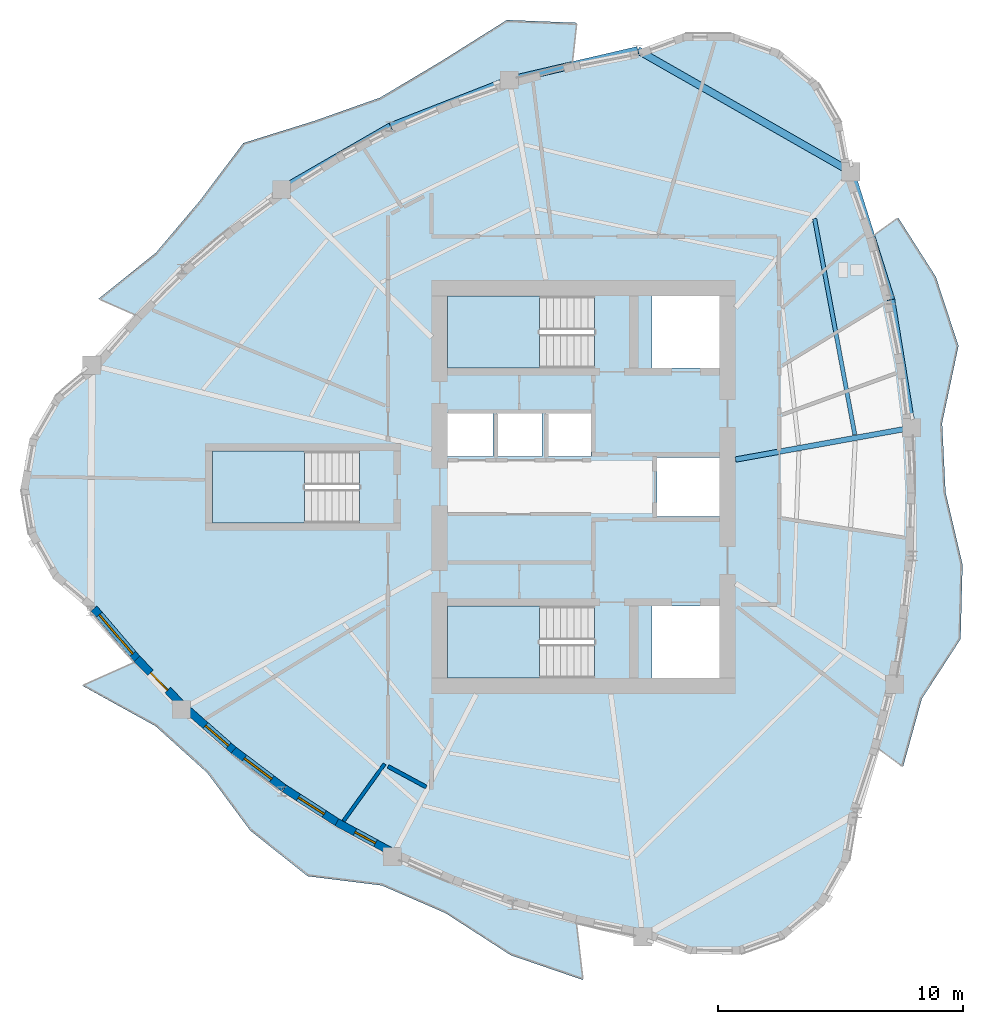
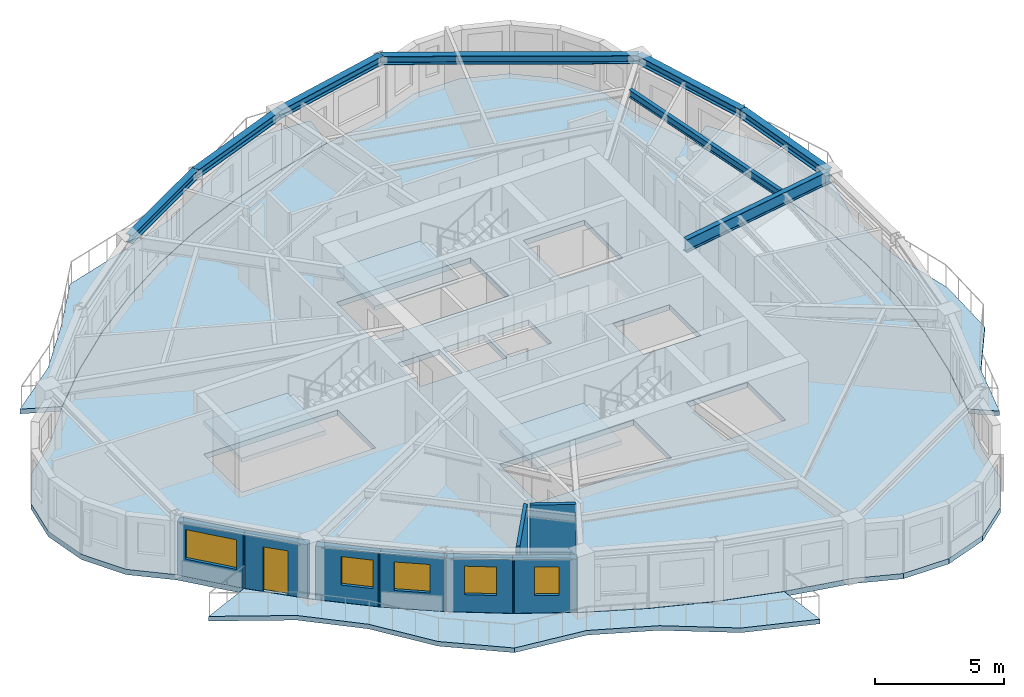
# One storey, part 2 of 12: 8 beams, 8 walls, 7 slabs, 5 windows, 1 door, 6 openings, 3 elements without a shape of their own.
"""IFC4 building model written with IfcOpenShell, lengths in metres."""

from ifc_helpers import new_model, si_unit, direction, frame, frame_2d, origin, origin_2d, place, context, subcontext, project, spatial, polyline, rectangle, i_section, outline, extrude, source, transform, mapped, material, layer, layer_set, material_profile, profile_set, type_object, element, fill, aggregate, save


model = new_model("IFC4")

# Units and contexts
model_context = context("Model", 3, precision=1e-05, world=origin(), true_north=direction((0.0, 1.0)))
body_context = subcontext(model_context, "Body", "Model", "MODEL_VIEW")
ifc_project = project(units=[si_unit("LENGTHUNIT", "METRE"), si_unit("AREAUNIT", "SQUARE_METRE"), si_unit("VOLUMEUNIT", "CUBIC_METRE"), si_unit("PLANEANGLEUNIT", "RADIAN"), si_unit("MASSUNIT", "GRAM", prefix="KILO")], contexts=[model_context])

# Site, building, storey
site_placement = place(None, origin())
site = spatial("IfcSite", under=ifc_project, at=site_placement, CompositionType="ELEMENT")
building_placement = place(site_placement, origin())
building = spatial("IfcBuilding", under=site, at=building_placement, Name="Qafzar Sky-Pleat Residences", CompositionType="ELEMENT")
storey_placement = place(building_placement, frame((0.0, 0.0, 177.800048828125)))
storey = spatial("IfcBuildingStorey", under=building, at=storey_placement, Name="L53", CompositionType="ELEMENT", Elevation=177.800048828125)

# Beams
ifc_material_1 = material(Name="Steel S355", Category="steel")
ifc_material_profile_1 = material_profile(ifc_material_1, i_section(OverallWidth=0.300048828125, OverallDepth=0.39990234375, WebThickness=0.013427734375, FlangeThickness=0.02392578125, FilletRadius=0.027099609375, at=origin_2d()), Name="HEB 400")
ifc_profile_set_1 = profile_set([ifc_material_profile_1], Name="Steel S355")
beam_type_1 = type_object("IfcBeamType", Name="BM-SPAN-HEB400", PredefinedType="SPANDREL", material=ifc_profile_set_1)
shared_shape_1 = source(origin(), body_context, "Body", "SweptSolid", [
    extrude(i_section(OverallWidth=0.300048828125, OverallDepth=0.39990234375, WebThickness=0.013427734375, FlangeThickness=0.02392578125, FilletRadius=0.027099609375, at=origin_2d()), origin(), (0.0, 0.0, 1.0), 10.017578125),
])
beam_1_placement = place(storey_placement, frame((41.25634765625, 38.860107421875, 2.748046875), z_axis=(-0.86844553877, 0.495784576394, 0.0), x_axis=(-0.495784576394, -0.86844553877, 0.0)))
element("IfcBeam", 1, at=beam_1_placement, inside=storey, type_object=beam_type_1, Name="L53 Perimeter Spandrel Beam 13", PredefinedType="SPANDREL", context=body_context, shape_type="MappedRepresentation", body=[
    mapped(shared_shape_1, transform((0.0, 0.0, 0.0), x_axis=(1.0, 0.0, 0.0), y_axis=(0.0, 1.0, 0.0), z_axis=(0.0, 0.0, 1.0), scale=1.0)),
])
shared_shape_2 = source(origin(), body_context, "Body", "SweptSolid", [
    extrude(i_section(OverallWidth=0.300048828125, OverallDepth=0.39990234375, WebThickness=0.013427734375, FlangeThickness=0.02392578125, FilletRadius=0.027099609375, at=origin_2d()), origin(), (0.0, 0.0, 1.0), 5.468505859375),
])
beam_2_placement = place(storey_placement, frame((42.897705078125, 33.643798828125, 2.748046875), z_axis=(-0.300150473614, 0.953891866612, 0.0), x_axis=(-0.953891866612, -0.300150473614, 0.0)))
element("IfcBeam", 2, at=beam_2_placement, inside=storey, type_object=beam_type_1, Name="L53 Perimeter Spandrel Beam 12", PredefinedType="SPANDREL", context=body_context, shape_type="MappedRepresentation", body=[
    mapped(shared_shape_2, transform((0.0, 0.0, 0.0), x_axis=(1.0, 0.0, 0.0), y_axis=(0.0, 1.0, 0.0), z_axis=(0.0, 0.0, 1.0), scale=1.0)),
])
shared_shape_3 = source(origin(), body_context, "Body", "SweptSolid", [
    extrude(i_section(OverallWidth=0.300048828125, OverallDepth=0.39990234375, WebThickness=0.013427734375, FlangeThickness=0.02392578125, FilletRadius=0.027099609375, at=origin_2d()), origin(), (0.0, 0.0, 1.0), 5.292236328125),
])
beam_3_placement = place(storey_placement, frame((43.74365234375, 28.419677734375, 2.748046875), z_axis=(-0.159848832351, 0.98714150495, 0.0), x_axis=(-0.98714150495, -0.159848832351, 0.0)))
element("IfcBeam", 3, at=beam_3_placement, inside=storey, type_object=beam_type_1, Name="L53 Perimeter Spandrel Beam 11", PredefinedType="SPANDREL", context=body_context, shape_type="MappedRepresentation", body=[
    mapped(shared_shape_3, transform((0.0, 0.0, 0.0), x_axis=(1.0, 0.0, 0.0), y_axis=(0.0, 1.0, 0.0), z_axis=(0.0, 0.0, 1.0), scale=1.0)),
])
shared_shape_4 = source(origin(), body_context, "Body", "SweptSolid", [
    extrude(i_section(OverallWidth=0.300048828125, OverallDepth=0.39990234375, WebThickness=0.013427734375, FlangeThickness=0.02392578125, FilletRadius=0.027099609375, at=origin_2d()), origin(), (0.0, 0.0, 1.0), 5.376220703125),
])
beam_4_placement = place(storey_placement, frame((32.556640625, 43.82666015625, 2.748046875), z_axis=(-0.974009424983, -0.226507483417, 0.0), x_axis=(0.226507483417, -0.974009424983, 0.0)))
element("IfcBeam", 4, at=beam_4_placement, inside=storey, type_object=beam_type_1, Name="L53 Perimeter Spandrel Beam 14", PredefinedType="SPANDREL", context=body_context, shape_type="MappedRepresentation", body=[
    mapped(shared_shape_4, transform((0.0, 0.0, 0.0), x_axis=(1.0, 0.0, 0.0), y_axis=(0.0, 1.0, 0.0), z_axis=(0.0, 0.0, 1.0), scale=1.0)),
])
shared_shape_5 = source(origin(), body_context, "Body", "SweptSolid", [
    extrude(i_section(OverallWidth=0.300048828125, OverallDepth=0.39990234375, WebThickness=0.013427734375, FlangeThickness=0.02392578125, FilletRadius=0.027099609375, at=origin_2d()), origin(), (0.0, 0.0, 1.0), 5.20263671875),
])
beam_5_placement = place(storey_placement, frame((27.320068359375, 42.60888671875, 2.748046875), z_axis=(-0.931325836308, -0.364187021494, 0.0), x_axis=(0.364187021494, -0.931325836308, 0.0)))
element("IfcBeam", 5, at=beam_5_placement, inside=storey, type_object=beam_type_1, Name="L53 Perimeter Spandrel Beam 15", PredefinedType="SPANDREL", context=body_context, shape_type="MappedRepresentation", body=[
    mapped(shared_shape_5, transform((0.0, 0.0, 0.0), x_axis=(1.0, 0.0, 0.0), y_axis=(0.0, 1.0, 0.0), z_axis=(0.0, 0.0, 1.0), scale=1.0)),
])
shared_shape_6 = source(origin(), body_context, "Body", "SweptSolid", [
    extrude(i_section(OverallWidth=0.300048828125, OverallDepth=0.39990234375, WebThickness=0.013427734375, FlangeThickness=0.02392578125, FilletRadius=0.027099609375, at=origin_2d()), origin(), (0.0, 0.0, 1.0), 5.1435546875),
])
beam_6_placement = place(storey_placement, frame((22.474609375, 40.714111328125, 2.748046875), z_axis=(-0.866032247962, -0.499988145349, 0.0), x_axis=(0.499988145349, -0.866032247962, 0.0)))
element("IfcBeam", 6, at=beam_6_placement, inside=storey, type_object=beam_type_1, Name="L53 Perimeter Spandrel Beam 16", PredefinedType="SPANDREL", context=body_context, shape_type="MappedRepresentation", body=[
    mapped(shared_shape_6, transform((0.0, 0.0, 0.0), x_axis=(1.0, 0.0, 0.0), y_axis=(0.0, 1.0, 0.0), z_axis=(0.0, 0.0, 1.0), scale=1.0)),
])
ifc_material_profile_2 = material_profile(ifc_material_1, i_section(OverallWidth=0.219970703125, OverallDepth=0.60009765625, WebThickness=0.011962890625, FlangeThickness=0.01904296875, FilletRadius=0.02392578125, at=origin_2d()), Name="IPE 600")
ifc_profile_set_2 = profile_set([ifc_material_profile_2], Name="Steel S355")
beam_type_2 = type_object("IfcBeamType", Name="BM-SEC-IPE600", PredefinedType="BEAM", material=ifc_profile_set_2)
shared_shape_7 = source(origin(), body_context, "Body", "SweptSolid", [
    extrude(i_section(OverallWidth=0.219970703125, OverallDepth=0.60009765625, WebThickness=0.011962890625, FlangeThickness=0.01904296875, FilletRadius=0.02392578125, at=origin_2d()), origin(), (0.0, 0.0, 1.0), 7.31005859375),
])
beam_7_placement = place(storey_placement, frame((43.74365234375, 28.419677734375, 2.64794921875), z_axis=(-0.984070742657, -0.177777314209, 0.0), x_axis=(0.177777314209, -0.984070742657, 0.0)))
element("IfcBeam", 7, at=beam_7_placement, inside=storey, type_object=beam_type_2, Name="L53 Radial Floor Girder 11", PredefinedType="BEAM", context=body_context, shape_type="MappedRepresentation", body=[
    mapped(shared_shape_7, transform((0.0, 0.0, 0.0), x_axis=(1.0, 0.0, 0.0), y_axis=(0.0, 1.0, 0.0), z_axis=(0.0, 0.0, 1.0), scale=1.0)),
])
ifc_material_profile_3 = material_profile(ifc_material_1, i_section(OverallWidth=0.169921875, OverallDepth=0.360107421875, WebThickness=0.008056640625, FlangeThickness=0.0126953125, FilletRadius=0.01806640625, at=origin_2d()), Name="IPE 360")
ifc_profile_set_3 = profile_set([ifc_material_profile_3], Name="Steel S355")
beam_type_3 = type_object("IfcBeamType", Name="BM-JST-IPE360", PredefinedType="JOIST", material=ifc_profile_set_3)
shared_shape_8 = source(origin(), body_context, "Body", "SweptSolid", [
    extrude(i_section(OverallWidth=0.169921875, OverallDepth=0.360107421875, WebThickness=0.008056640625, FlangeThickness=0.0126953125, FilletRadius=0.01806640625, at=origin_2d()), origin(), (0.0, 0.0, 1.0), 8.966552734375),
])
beam_8_placement = place(storey_placement, frame((41.4169921875, 28.136474609375, 2.76806640625), z_axis=(-0.183108044319, 0.983092795267, 0.0), x_axis=(-0.983092795267, -0.183108044319, 0.0)))
element("IfcBeam", 8, at=beam_8_placement, inside=storey, type_object=beam_type_3, Name="L53 Outer Secondary Floor Joist 6", PredefinedType="JOIST", context=body_context, shape_type="MappedRepresentation", body=[
    mapped(shared_shape_8, transform((0.0, 0.0, 0.0), x_axis=(1.0, 0.0, 0.0), y_axis=(0.0, 1.0, 0.0), z_axis=(0.0, 0.0, 1.0), scale=1.0)),
])

# Slabs
ifc_material_2 = material(Name="Concrete C40/50", Category="concrete")
ifc_layer_1 = layer(ifc_material_2, 0.219970703125)
ifc_layer_set_1 = layer_set([ifc_layer_1], Name="Concrete C40/50")
slab_type_1 = type_object("IfcSlabType", Name="SLAB-BAL-220", PredefinedType="USERDEFINED", material=ifc_layer_set_1)
slab_1_placement = place(storey_placement, frame((0.0, 0.0, -0.219970703125)))
element("IfcSlab", 9, at=slab_1_placement, inside=storey, type_object=slab_type_1, Name="L53 Pleated Stone Balcony 1", ObjectType="BALCONY", PredefinedType="USERDEFINED", context=body_context, shape_type="SweptSolid", body=[
    extrude(outline(polyline([(43.060546875, 17.942626953125), (43.532958984375, 20.565185546875), (43.80615234375, 23.185791015625), (43.88037109375, 25.8046875), (43.755615234375, 28.42138671875), (43.431396484375, 31.036376953125), (42.908203125, 33.649169921875), (42.18603515625, 36.259765625), (43.189208984375, 36.9853515625), (44.721435546875, 34.57958984375), (45.647216796875, 31.759521484375), (44.97900390625, 28.609619140625), (45.118408203125, 25.789306640625), (45.812744140625, 22.82861328125), (45.73291015625, 19.79541015625), (44.152099609375, 17.358642578125), (43.38330078125, 14.580810546875), (42.38916015625, 15.318603515625), (43.060546875, 17.942626953125)])), origin(), (0.0, 0.0, 1.0), 0.219970703125),
])
slab_2_placement = place(storey_placement, frame((0.0, 0.0, -0.219970703125)))
element("IfcSlab", 10, at=slab_2_placement, inside=storey, type_object=slab_type_1, Name="L53 Pleated Stone Balcony 2", ObjectType="BALCONY", PredefinedType="USERDEFINED", context=body_context, shape_type="SweptSolid", body=[
    extrude(outline(polyline([(27.319580078125, 42.62109375), (24.84619140625, 41.758056640625), (22.47021484375, 40.725341796875), (20.1923828125, 39.523193359375), (18.01220703125, 38.151611328125), (15.93017578125, 36.6103515625), (13.946044921875, 34.899658203125), (12.059814453125, 33.01953125), (10.560791015625, 33.6796875), (12.89990234375, 35.56201171875), (14.699951171875, 37.69189453125), (16.464111328125, 40.034912109375), (19.373291015625, 40.94189453125), (22.03515625, 41.884521484375), (24.524658203125, 43.364013671875), (27.219970703125, 45.056884765625), (30.068603515625, 44.942626953125), (29.890869140625, 43.314453125), (27.319580078125, 42.62109375)])), origin(), (0.0, 0.0, 1.0), 0.219970703125),
])
slab_3_placement = place(storey_placement, frame((0.0, 0.0, -0.219970703125)))
element("IfcSlab", 11, at=slab_3_placement, inside=storey, type_object=slab_type_1, Name="L53 Pleated Stone Balcony 3", ObjectType="BALCONY", PredefinedType="USERDEFINED", context=body_context, shape_type="SweptSolid", body=[
    extrude(outline(polyline([(13.92138671875, 16.91357421875), (15.922607421875, 15.154296875), (18.025146484375, 13.56591796875), (20.22900390625, 12.1494140625), (22.5341796875, 10.904296875), (24.940185546875, 9.830810546875), (27.447509765625, 8.9287109375), (30.055908203125, 8.197998046875), (30.3232421875, 5.88232421875), (27.381591796875, 6.8916015625), (24.710205078125, 8.6142578125), (22.112548828125, 9.740234375), (19.08837890625, 10.11669921875), (16.75, 11.976318359375), (15.001708984375, 14.326904296875), (12.88134765625, 16.2421875), (9.894287109375, 17.8916015625), (12.021484375, 18.844482421875), (13.92138671875, 16.91357421875)])), origin(), (0.0, 0.0, 1.0), 0.219970703125),
])
ifc_layer_2 = layer(ifc_material_2, 0.25)
ifc_layer_set_2 = layer_set([ifc_layer_2], Name="Concrete C40/50")
slab_type_2 = type_object("IfcSlabType", Name="SLAB-FLR-250", PredefinedType="FLOOR", material=ifc_layer_set_2)
slab_4_placement = place(storey_placement, frame((0.0, 0.0, -0.25)))
element("IfcSlab", 12, at=slab_4_placement, inside=storey, type_object=slab_type_2, Name="L53 Structural Floor Slab", PredefinedType="FLOOR", context=body_context, shape_type="SweptSolid", body=[
    extrude(outline(polyline([(10.283203125, 30.967041015625), (8.746337890625, 29.679443359375), (7.739501953125, 27.945556640625), (7.38330078125, 25.972412109375), (7.720458984375, 23.995849609375), (8.710205078125, 22.252197265625), (10.234619140625, 20.94970703125), (12.03271484375, 18.849365234375), (13.931640625, 16.920166015625), (15.931640625, 15.162109375), (18.03271484375, 13.575439453125), (20.23486328125, 12.159912109375), (22.5380859375, 10.91552734375), (24.9423828125, 9.842529296875), (27.447998046875, 8.940673828125), (30.054443359375, 8.209716796875), (32.761962890625, 7.650390625), (34.66650390625, 6.939697265625), (36.69921875, 6.9296875), (38.610595703125, 7.6220703125), (40.165771484375, 8.93115234375), (41.173583984375, 10.696533203125), (41.51025390625, 12.701171875), (42.37939453125, 15.32568359375), (43.050048828125, 17.948486328125), (43.521484375, 20.569091796875), (43.79443359375, 23.18798828125), (43.868408203125, 25.8046875), (43.74365234375, 28.419677734375), (43.419921875, 31.03271484375), (42.897705078125, 33.643798828125), (42.176513671875, 36.252685546875), (41.25634765625, 38.860107421875), (40.890625, 40.831298828125), (39.87548828125, 42.560546875), (38.332275390625, 43.8408203125), (36.4453125, 44.518798828125), (34.440185546875, 44.513916015625), (32.556640625, 43.82666015625), (29.889404296875, 43.302490234375), (27.320068359375, 42.60888671875), (24.848388671875, 41.74609375), (22.474609375, 40.714111328125), (20.1982421875, 39.512939453125), (18.02001953125, 38.142333984375), (15.939208984375, 36.602294921875), (13.9560546875, 34.893310546875), (12.07080078125, 33.014892578125), (10.283203125, 30.967041015625)]), holes=[polyline([(30.797119140625, 21.14990234375), (24.800048828125, 21.14990234375), (24.800048828125, 18.199951171875), (30.797119140625, 18.199951171875), (30.797119140625, 21.14990234375)]), polyline([(30.797119140625, 33.800048828125), (24.800048828125, 33.800048828125), (24.800048828125, 30.85009765625), (30.797119140625, 30.85009765625), (30.797119140625, 33.800048828125)]), polyline([(21.197021484375, 27.47509765625), (15.199951171875, 27.47509765625), (15.199951171875, 24.52490234375), (21.197021484375, 24.52490234375), (21.197021484375, 27.47509765625)]), polyline([(24.800048828125, 27.25), (26.64990234375, 27.25), (26.64990234375, 29.050048828125), (24.800048828125, 29.050048828125), (24.800048828125, 27.25)]), polyline([(26.800048828125, 27.25), (28.64990234375, 27.25), (28.64990234375, 29.050048828125), (26.800048828125, 29.050048828125), (26.800048828125, 27.25)]), polyline([(28.800048828125, 27.25), (30.64990234375, 27.25), (30.64990234375, 29.050048828125), (28.800048828125, 29.050048828125), (28.800048828125, 27.25)]), polyline([(33.14990234375, 18.199951171875), (35.89990234375, 18.199951171875), (35.89990234375, 21.14990234375), (33.14990234375, 21.14990234375), (33.14990234375, 18.199951171875)]), polyline([(33.14990234375, 30.85009765625), (35.89990234375, 30.85009765625), (35.89990234375, 33.800048828125), (33.14990234375, 33.800048828125), (33.14990234375, 30.85009765625)]), polyline([(33.35009765625, 24.800048828125), (35.89990234375, 24.800048828125), (35.89990234375, 27.199951171875), (33.35009765625, 27.199951171875), (33.35009765625, 24.800048828125)])]), origin(), (0.0, 0.0, 1.0), 0.25),
])

# Stair, slab
stair_type = type_object("IfcStairType", Name="STAIR-H320", PredefinedType="HALF_TURN_STAIR", material=ifc_material_2)
stair_1_placement = place(storey_placement, origin())
stair_1 = element("IfcStair", 13, at=stair_1_placement, inside=storey, type_object=stair_type, Name="L53 Protected Exit Stair ST1", PredefinedType="HALF_TURN_STAIR")
ifc_layer_3 = layer(ifc_material_2, 0.199951171875)
ifc_layer_set_3 = layer_set([ifc_layer_3], Name="Concrete C40/50")
slab_type_3 = type_object("IfcSlabType", Name="SLAB-LANDING-200", PredefinedType="LANDING", material=ifc_layer_set_3)
slab_5_placement = place(storey_placement, frame((0.0, 0.0, 1.39990234375)))
slab_5 = element("IfcSlab", 14, at=slab_5_placement, type_object=slab_type_3, Name="ST1 landing 1", PredefinedType="LANDING", context=body_context, shape_type="SweptSolid", body=[
    extrude(outline(polyline([(28.56005859375, 21.14990234375), (24.800048828125, 21.14990234375), (24.800048828125, 18.199951171875), (28.56005859375, 18.199951171875), (28.56005859375, 21.14990234375)])), origin(), (0.0, 0.0, 1.0), 0.199951171875),
])
aggregate(stair_1, [slab_5])

stair_2_placement = place(storey_placement, origin())
stair_2 = element("IfcStair", 15, at=stair_2_placement, inside=storey, type_object=stair_type, Name="L53 Protected Exit Stair ST2", PredefinedType="HALF_TURN_STAIR")
slab_6_placement = place(storey_placement, frame((0.0, 0.0, 1.39990234375)))
slab_6 = element("IfcSlab", 16, at=slab_6_placement, type_object=slab_type_3, Name="ST2 landing 1", PredefinedType="LANDING", context=body_context, shape_type="SweptSolid", body=[
    extrude(outline(polyline([(28.56005859375, 33.800048828125), (24.800048828125, 33.800048828125), (24.800048828125, 30.85009765625), (28.56005859375, 30.85009765625), (28.56005859375, 33.800048828125)])), origin(), (0.0, 0.0, 1.0), 0.199951171875),
])
aggregate(stair_2, [slab_6])

stair_3_placement = place(storey_placement, origin())
stair_3 = element("IfcStair", 17, at=stair_3_placement, inside=storey, type_object=stair_type, Name="L53 Protected Exit Stair ST3", PredefinedType="HALF_TURN_STAIR")
slab_7_placement = place(storey_placement, frame((0.0, 0.0, 1.39990234375)))
slab_7 = element("IfcSlab", 18, at=slab_7_placement, type_object=slab_type_3, Name="ST3 landing 1", PredefinedType="LANDING", context=body_context, shape_type="SweptSolid", body=[
    extrude(outline(polyline([(18.9599609375, 27.47509765625), (15.199951171875, 27.47509765625), (15.199951171875, 24.52490234375), (18.9599609375, 24.52490234375), (18.9599609375, 27.47509765625)])), origin(), (0.0, 0.0, 1.0), 0.199951171875),
])
aggregate(stair_3, [slab_7])

# Walls
ifc_material_3 = material(Name="Acoustic gypsum plasterboard partition", Category="gypsum")
ifc_layer_4 = layer(ifc_material_3, 0.159912109375)
ifc_layer_set_4 = layer_set([ifc_layer_4], Name="Acoustic gypsum plasterboard partition")
wall_type_1 = type_object("IfcWallType", Name="PART-COR-160", PredefinedType="PARTITIONING", material=ifc_layer_set_4)
wall_1_placement = place(storey_placement, frame((22.3701171875, 14.597900390625, 0.0), z_axis=(0.0, 0.0, 1.0), x_axis=(0.879928353623, -0.475106401231, 0.0)))
element("IfcWall", 19, at=wall_1_placement, inside=storey, type_object=wall_type_1, Name="L53 Partition Wall PART-L53-PW-027", PredefinedType="PARTITIONING", context=body_context, shape_type="SweptSolid", body=[
    extrude(rectangle(XDim=1.778564453125, YDim=0.159912109375, at=frame_2d((0.88916015625, 0.0))), origin(), (0.0, 0.0, 1.0), 2.949951171875),
])
ifc_layer_5 = layer(ifc_material_3, 0.14501953125)
ifc_layer_set_5 = layer_set([ifc_layer_5], Name="Acoustic gypsum plasterboard partition")
wall_type_2 = type_object("IfcWallType", Name="PART-UNIT-145", PredefinedType="PARTITIONING", material=ifc_layer_set_5)
wall_2_placement = place(storey_placement, frame((20.554931640625, 12.3701171875, 0.0), z_axis=(0.0, 0.0, 1.0), x_axis=(0.583544912932, 0.812080867027, 0.0)))
element("IfcWall", 20, at=wall_2_placement, inside=storey, type_object=wall_type_2, Name="L53 Partition Wall PART-L53-PW-023", PredefinedType="PARTITIONING", context=body_context, shape_type="SweptSolid", body=[
    extrude(rectangle(XDim=2.870361328125, YDim=0.14501953125, at=frame_2d((1.43505859375, 0.0))), origin(), (0.0, 0.0, 1.0), 2.949951171875),
])

# Wall, opening, window
ifc_material_4 = material(Name="Precast concrete C40/50 with honed Riyadh limestone", Category="concrete")
ifc_layer_6 = layer(ifc_material_4, 0.320068359375)
ifc_layer_set_6 = layer_set([ifc_layer_6], Name="Precast concrete C40/50 with honed Riyadh limestone")
wall_type_3 = type_object("IfcWallType", Name="WALL-EXT-320", PredefinedType="SOLIDWALL", material=ifc_layer_set_6)
wall_3_placement = place(storey_placement, frame((10.369384765625, 21.03857421875, 0.0), z_axis=(0.0, 0.0, 1.0), x_axis=(0.65028546754, -0.759689943797, 0.0)))
wall_3 = element("IfcWall", 21, at=wall_3_placement, inside=storey, type_object=wall_type_3, Name="L53 Limestone Facade Wall 7", PredefinedType="SOLIDWALL", context=body_context, shape_type="SweptSolid", body=[
    extrude(rectangle(XDim=2.78271484375, YDim=0.320068359375, at=frame_2d((1.391357421875, 0.0))), origin(), (0.0, 0.0, 1.0), 2.530029296875),
])
opening_1_placement = place(wall_3_placement, frame((0.331298828125, 0.0, 0.820068359375)))
opening_1 = element("IfcOpeningElement", 22, at=opening_1_placement, cuts=wall_3, Name="Opening WN-07", PredefinedType="OPENING", context=body_context, shape_type="SweptSolid", body=[
    extrude(rectangle(XDim=2.10009765625, YDim=1.39990234375, at=frame_2d((1.050048828125, 0.699951171875))), frame((0.0, 0.169921875, 0.0), z_axis=(0.0, -1.0, 0.0), x_axis=(1.0, 0.0, 0.0)), (0.0, 0.0, 1.0), 0.340087890625),
])
ifc_material_5 = material(Name="Solar-control low-E glass in bronze aluminium frame", Category="glass")
window_type_1 = type_object("IfcWindowType", Name="WIN-07", PartitioningType="DOUBLE_PANEL_VERTICAL", PredefinedType="WINDOW", material=ifc_material_5)
shared_shape_9 = source(origin(), body_context, "Body", "SweptSolid", [
    extrude(rectangle(XDim=2.10009765625, YDim=1.39990234375, at=frame_2d((1.050048828125, 0.699951171875))), frame((0.0, 0.030029296875, 0.0), z_axis=(0.0, -1.0, 0.0), x_axis=(1.0, 0.0, 0.0)), (0.0, 0.0, 1.0), 0.06005859375),
])
window_1_placement = place(opening_1_placement, origin())
window_1 = element("IfcWindow", 23, at=window_1_placement, inside=storey, type_object=window_type_1, Name="L53 Punched Facade Window 07", OverallHeight=1.39990234375, OverallWidth=2.10009765625, PartitioningType="SINGLE_PANEL", PredefinedType="WINDOW", context=body_context, shape_type="MappedRepresentation", body=[
    mapped(shared_shape_9, transform((0.0, 0.0, 0.0), x_axis=(1.0, 0.0, 0.0), y_axis=(0.0, 1.0, 0.0), z_axis=(0.0, 0.0, 1.0), scale=1.0)),
])
fill(opening_1, window_1)

# Wall, opening, door
wall_4_placement = place(storey_placement, frame((12.1201171875, 18.988525390625, 0.0), z_axis=(0.0, 0.0, 1.0), x_axis=(0.701501494422, -0.71266798253, 0.0)))
wall_4 = element("IfcWall", 24, at=wall_4_placement, inside=storey, type_object=wall_type_3, Name="L53 Limestone Facade Wall 8", PredefinedType="SOLIDWALL", context=body_context, shape_type="SweptSolid", body=[
    extrude(rectangle(XDim=2.579833984375, YDim=0.320068359375, at=frame_2d((1.2900390625, 0.0))), origin(), (0.0, 0.0, 1.0), 2.530029296875),
])
opening_2_placement = place(wall_4_placement, frame((0.794921875, 0.0, 0.0)))
opening_2 = element("IfcOpeningElement", 25, at=opening_2_placement, cuts=wall_4, Name="Opening ED-05", PredefinedType="OPENING", context=body_context, shape_type="SweptSolid", body=[
    extrude(rectangle(XDim=1.0, YDim=2.10009765625, at=frame_2d((0.5, 1.050048828125))), frame((0.0, 0.169921875, 0.0), z_axis=(0.0, -1.0, 0.0), x_axis=(1.0, 0.0, 0.0)), (0.0, 0.0, 1.0), 0.340087890625),
])
ifc_material_6 = material(Name="Glazed bronze aluminium door", Category="aluminium")
door_type = type_object("IfcDoorType", Name="DR-BAL-1000", OperationType="NOTDEFINED", PredefinedType="DOOR", material=ifc_material_6)
shared_shape_10 = source(origin(), body_context, "Body", "SweptSolid", [
    extrude(rectangle(XDim=1.0, YDim=2.10009765625, at=frame_2d((0.5, 1.050048828125))), frame((0.0, 0.02490234375, 0.0), z_axis=(0.0, -1.0, 0.0), x_axis=(1.0, 0.0, 0.0)), (0.0, 0.0, 1.0), 0.050048828125),
])
door_placement = place(opening_2_placement, origin())
door = element("IfcDoor", 26, at=door_placement, inside=storey, type_object=door_type, Name="L53 Glazed Balcony Door 3", OperationType="SINGLE_SWING_LEFT", OverallHeight=2.10009765625, OverallWidth=1.0, PredefinedType="DOOR", context=body_context, shape_type="MappedRepresentation", body=[
    mapped(shared_shape_10, transform((0.0, 0.0, 0.0), x_axis=(1.0, 0.0, 0.0), y_axis=(0.0, 1.0, 0.0), z_axis=(0.0, 0.0, 1.0), scale=1.0)),
])
fill(opening_2, door)

# Wall, opening, window
wall_5_placement = place(storey_placement, frame((14.1611328125, 16.931396484375, 0.0), z_axis=(0.0, 0.0, 1.0), x_axis=(0.751131625517, -0.660152468107, 0.0)))
wall_5 = element("IfcWall", 27, at=wall_5_placement, inside=storey, type_object=wall_type_3, Name="L53 Limestone Facade Wall 9", PredefinedType="SOLIDWALL", context=body_context, shape_type="SweptSolid", body=[
    extrude(rectangle(XDim=2.535888671875, YDim=0.320068359375, at=frame_2d((1.26806640625, 0.0))), origin(), (0.0, 0.0, 1.0), 2.530029296875),
])
opening_3_placement = place(wall_5_placement, frame((1.009521484375, 0.0, 0.820068359375)))
opening_3 = element("IfcOpeningElement", 28, at=opening_3_placement, cuts=wall_5, Name="Opening WN-11", PredefinedType="OPENING", context=body_context, shape_type="SweptSolid", body=[
    extrude(rectangle(XDim=1.25, YDim=1.35009765625, at=frame_2d((0.625, 0.675048828125))), frame((0.0, 0.169921875, 0.0), z_axis=(0.0, -1.0, 0.0), x_axis=(1.0, 0.0, 0.0)), (0.0, 0.0, 1.0), 0.340087890625),
])
window_type_2 = type_object("IfcWindowType", Name="WIN-11", PartitioningType="SINGLE_PANEL", PredefinedType="WINDOW", material=ifc_material_5)
shared_shape_11 = source(origin(), body_context, "Body", "SweptSolid", [
    extrude(rectangle(XDim=1.25, YDim=1.35009765625, at=frame_2d((0.625, 0.675048828125))), frame((0.0, 0.030029296875, 0.0), z_axis=(0.0, -1.0, 0.0), x_axis=(1.0, 0.0, 0.0)), (0.0, 0.0, 1.0), 0.06005859375),
])
window_2_placement = place(opening_3_placement, origin())
window_2 = element("IfcWindow", 29, at=window_2_placement, inside=storey, type_object=window_type_2, Name="L53 Punched Facade Window 09-2", OverallHeight=1.35009765625, OverallWidth=1.25, PartitioningType="SINGLE_PANEL", PredefinedType="WINDOW", context=body_context, shape_type="MappedRepresentation", body=[
    mapped(shared_shape_11, transform((0.0, 0.0, 0.0), x_axis=(1.0, 0.0, 0.0), y_axis=(0.0, 1.0, 0.0), z_axis=(0.0, 0.0, 1.0), scale=1.0)),
])
fill(opening_3, window_2)

wall_6_placement = place(storey_placement, frame((15.997802734375, 15.312744140625, 0.0), z_axis=(0.0, 0.0, 1.0), x_axis=(0.797995270696, -0.602663710494, 0.0)))
wall_6 = element("IfcWall", 30, at=wall_6_placement, inside=storey, type_object=wall_type_3, Name="L53 Limestone Facade Wall 10", PredefinedType="SOLIDWALL", context=body_context, shape_type="SweptSolid", body=[
    extrude(rectangle(XDim=2.65087890625, YDim=0.320068359375, at=frame_2d((1.325439453125, 0.0))), origin(), (0.0, 0.0, 1.0), 2.530029296875),
])
opening_4_placement = place(wall_6_placement, frame((0.635498046875, 0.0, 0.820068359375)))
opening_4 = element("IfcOpeningElement", 31, at=opening_4_placement, cuts=wall_6, Name="Opening WN-10", PredefinedType="OPENING", context=body_context, shape_type="SweptSolid", body=[
    extrude(rectangle(XDim=1.39990234375, YDim=1.35009765625, at=frame_2d((0.699951171875, 0.675048828125))), frame((0.0, 0.169921875, 0.0), z_axis=(0.0, -1.0, 0.0), x_axis=(1.0, 0.0, 0.0)), (0.0, 0.0, 1.0), 0.340087890625),
])
window_type_3 = type_object("IfcWindowType", Name="WIN-10", PartitioningType="SINGLE_PANEL", PredefinedType="WINDOW", material=ifc_material_5)
shared_shape_12 = source(origin(), body_context, "Body", "SweptSolid", [
    extrude(rectangle(XDim=1.39990234375, YDim=1.35009765625, at=frame_2d((0.699951171875, 0.675048828125))), frame((0.0, 0.030029296875, 0.0), z_axis=(0.0, -1.0, 0.0), x_axis=(1.0, 0.0, 0.0)), (0.0, 0.0, 1.0), 0.06005859375),
])
window_3_placement = place(opening_4_placement, origin())
window_3 = element("IfcWindow", 32, at=window_3_placement, inside=storey, type_object=window_type_3, Name="L53 Punched Facade Window 10", OverallHeight=1.35009765625, OverallWidth=1.39990234375, PartitioningType="SINGLE_PANEL", PredefinedType="WINDOW", context=body_context, shape_type="MappedRepresentation", body=[
    mapped(shared_shape_12, transform((0.0, 0.0, 0.0), x_axis=(1.0, 0.0, 0.0), y_axis=(0.0, 1.0, 0.0), z_axis=(0.0, 0.0, 1.0), scale=1.0)),
])
fill(opening_4, window_3)

wall_7_placement = place(storey_placement, frame((18.135986328125, 13.69921875, 0.0), z_axis=(0.0, 0.0, 1.0), x_axis=(0.841223609804, -0.540687375761, 0.0)))
wall_7 = element("IfcWall", 33, at=wall_7_placement, inside=storey, type_object=wall_type_3, Name="L53 Limestone Facade Wall 11", PredefinedType="SOLIDWALL", context=body_context, shape_type="SweptSolid", body=[
    extrude(rectangle(XDim=2.635986328125, YDim=0.320068359375, at=frame_2d((1.31787109375, 0.0))), origin(), (0.0, 0.0, 1.0), 2.530029296875),
])
opening_5_placement = place(wall_7_placement, frame((0.682861328125, 0.0, 0.820068359375)))
opening_5 = element("IfcOpeningElement", 34, at=opening_5_placement, cuts=wall_7, Name="Opening WN-11", PredefinedType="OPENING", context=body_context, shape_type="SweptSolid", body=[
    extrude(rectangle(XDim=1.25, YDim=1.35009765625, at=frame_2d((0.625, 0.675048828125))), frame((0.0, 0.169921875, 0.0), z_axis=(0.0, -1.0, 0.0), x_axis=(1.0, 0.0, 0.0)), (0.0, 0.0, 1.0), 0.340087890625),
])
window_4_placement = place(opening_5_placement, origin())
window_4 = element("IfcWindow", 35, at=window_4_placement, inside=storey, type_object=window_type_2, Name="L53 Punched Facade Window 11", OverallHeight=1.35009765625, OverallWidth=1.25, PartitioningType="SINGLE_PANEL", PredefinedType="WINDOW", context=body_context, shape_type="MappedRepresentation", body=[
    mapped(shared_shape_11, transform((0.0, 0.0, 0.0), x_axis=(1.0, 0.0, 0.0), y_axis=(0.0, 1.0, 0.0), z_axis=(0.0, 0.0, 1.0), scale=1.0)),
])
fill(opening_5, window_4)

wall_8_placement = place(storey_placement, frame((20.277587890625, 12.318603515625, 0.0), z_axis=(0.0, 0.0, 1.0), x_axis=(0.879825062943, -0.475297652653, 0.0)))
wall_8 = element("IfcWall", 36, at=wall_8_placement, inside=storey, type_object=wall_type_3, Name="L53 Limestone Facade Wall 12", PredefinedType="SOLIDWALL", context=body_context, shape_type="SweptSolid", body=[
    extrude(rectangle(XDim=2.49072265625, YDim=0.320068359375, at=frame_2d((1.245361328125, 0.0))), origin(), (0.0, 0.0, 1.0), 2.530029296875),
])
opening_6_placement = place(wall_8_placement, frame((0.843505859375, 0.0, 0.820068359375)))
opening_6 = element("IfcOpeningElement", 37, at=opening_6_placement, cuts=wall_8, Name="Opening WN-12", PredefinedType="OPENING", context=body_context, shape_type="SweptSolid", body=[
    extrude(rectangle(XDim=0.949951171875, YDim=1.35009765625, at=frame_2d((0.47509765625, 0.675048828125))), frame((0.0, 0.169921875, 0.0), z_axis=(0.0, -1.0, 0.0), x_axis=(1.0, 0.0, 0.0)), (0.0, 0.0, 1.0), 0.340087890625),
])
window_type_4 = type_object("IfcWindowType", Name="WIN-12", PartitioningType="SINGLE_PANEL", PredefinedType="WINDOW", material=ifc_material_5)
shared_shape_13 = source(origin(), body_context, "Body", "SweptSolid", [
    extrude(rectangle(XDim=0.949951171875, YDim=1.35009765625, at=frame_2d((0.47509765625, 0.675048828125))), frame((0.0, 0.030029296875, 0.0), z_axis=(0.0, -1.0, 0.0), x_axis=(1.0, 0.0, 0.0)), (0.0, 0.0, 1.0), 0.06005859375),
])
window_5_placement = place(opening_6_placement, origin())
window_5 = element("IfcWindow", 38, at=window_5_placement, inside=storey, type_object=window_type_4, Name="L53 Punched Facade Window 12", OverallHeight=1.35009765625, OverallWidth=0.949951171875, PartitioningType="SINGLE_PANEL", PredefinedType="WINDOW", context=body_context, shape_type="MappedRepresentation", body=[
    mapped(shared_shape_13, transform((0.0, 0.0, 0.0), x_axis=(1.0, 0.0, 0.0), y_axis=(0.0, 1.0, 0.0), z_axis=(0.0, 0.0, 1.0), scale=1.0)),
])
fill(opening_6, window_5)

save(model, "model.ifc")
